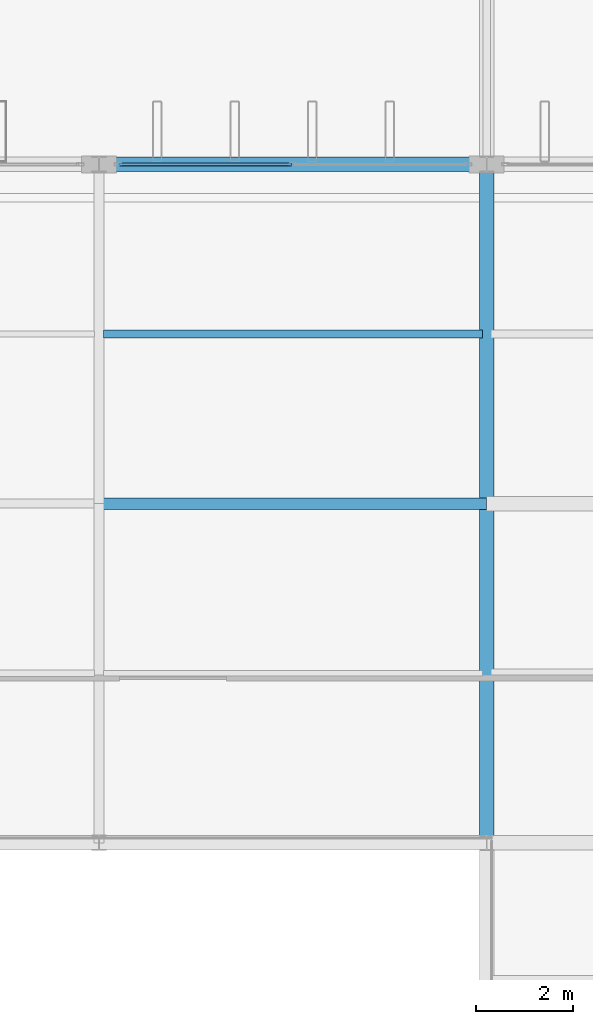
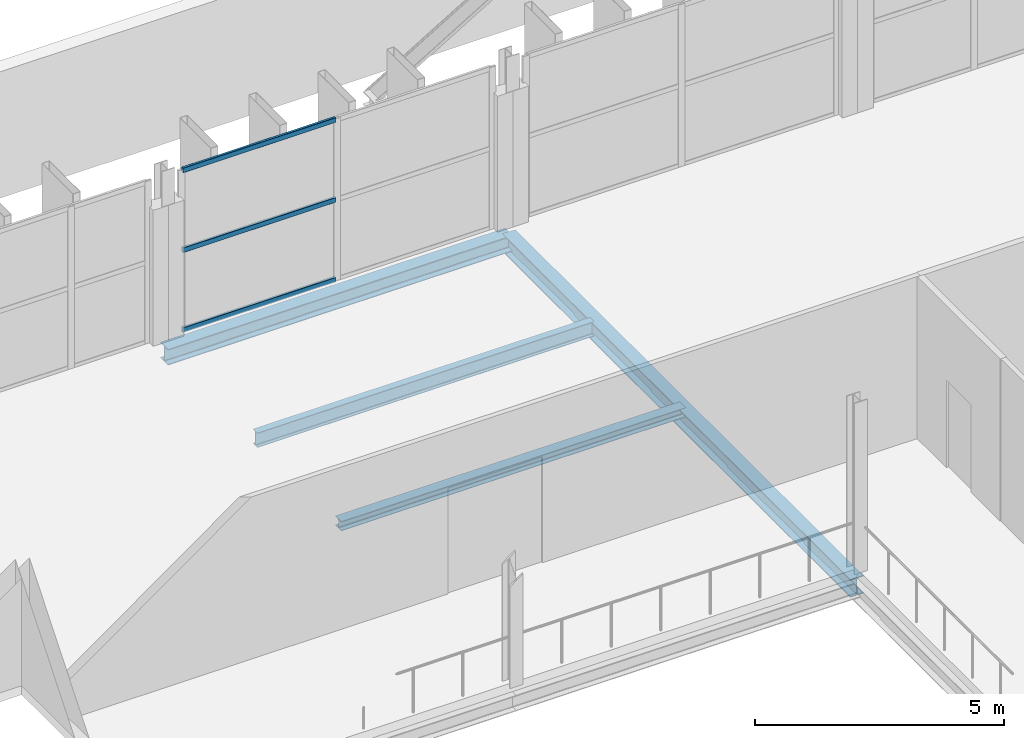
# One storey, part 50 of 93: 4 beams, 3 members, 1 element without a shape of its own.
"""IFC4 building model written with IfcOpenShell, lengths in metres."""

from ifc_helpers import new_model, si_unit, direction, frame, origin, origin_2d, place, context, subcontext, project, spatial, hollow_rectangle, i_section, extrude, material, layer, layer_set, material_profile, profile_set, type_object, element, aggregate, save


model = new_model("IFC4")

# Units and contexts
model_context = context("Model", 3, precision=1e-05, world=origin(), true_north=direction((0.0, 1.0)))
body_context = subcontext(model_context, "Body", "Model", "MODEL_VIEW")
ifc_project = project(units=[si_unit("LENGTHUNIT", "METRE"), si_unit("AREAUNIT", "SQUARE_METRE"), si_unit("VOLUMEUNIT", "CUBIC_METRE"), si_unit("PLANEANGLEUNIT", "RADIAN"), si_unit("MASSUNIT", "GRAM", prefix="KILO")], contexts=[model_context])

# Site, building, storey
site_placement = place(None, origin())
site = spatial("IfcSite", under=ifc_project, at=site_placement, CompositionType="ELEMENT")
building_placement = place(site_placement, origin())
building = spatial("IfcBuilding", under=site, at=building_placement, Name="Vekula Escarpment Museum", CompositionType="ELEMENT")
storey_placement = place(building_placement, frame((0.0, 0.0, 22.199951171875)))
storey = spatial("IfcBuildingStorey", under=building, at=storey_placement, Name="L05", CompositionType="ELEMENT", Elevation=22.199951171875)

# Beams
ifc_material_1 = material(Name="Steel S355", Category="steel")
ifc_material_profile_1 = material_profile(ifc_material_1, i_section(OverallWidth=0.169921875, OverallDepth=0.360107421875, WebThickness=0.008056640625, FlangeThickness=0.0126953125, FilletRadius=0.01806640625, at=origin_2d()), Name="IPE 360")
ifc_profile_set_1 = profile_set([ifc_material_profile_1], Name="Steel S355")
beam_type_1 = type_object("IfcBeamType", Name="BM-JST-IPE360", PredefinedType="JOIST", material=ifc_profile_set_1)
beam_1_placement = place(storey_placement, frame((102.090087890625, 86.89990234375, -0.39990234375), z_axis=(1.0, 0.0, 0.0), x_axis=(0.0, 1.0, 0.0)))
element("IfcBeam", 1, at=beam_1_placement, inside=storey, type_object=beam_type_1, Name="Secondary Joist L05 1365", PredefinedType="JOIST", context=body_context, shape_type="SweptSolid", body=[
    extrude(i_section(OverallWidth=0.169921875, OverallDepth=0.360107421875, WebThickness=0.008056640625, FlangeThickness=0.0126953125, FilletRadius=0.01806640625, at=origin_2d()), origin(), (0.0, 0.0, 1.0), 7.81982421875),
])
ifc_material_2 = material(Name="Steel S355", Category="steel")
ifc_material_profile_2 = material_profile(ifc_material_2, i_section(OverallWidth=0.239990234375, OverallDepth=0.22998046875, WebThickness=0.007568359375, FlangeThickness=0.011962890625, FilletRadius=0.02099609375, at=origin_2d()), Name="HEA 240")
ifc_profile_set_2 = profile_set([ifc_material_profile_2], Name="Steel S355")
beam_type_2 = type_object("IfcBeamType", Name="BM-SPAN-HEA240", PredefinedType="SPANDREL", material=ifc_profile_set_2)
beam_2_placement = place(storey_placement, frame((102.0, 83.39990234375, -0.3349609375), z_axis=(1.0, 0.0, 0.0), x_axis=(0.0, 1.0, 0.0)))
element("IfcBeam", 2, at=beam_2_placement, inside=storey, type_object=beam_type_2, Name="Beam X L05 2040", PredefinedType="SPANDREL", context=body_context, shape_type="SweptSolid", body=[
    extrude(i_section(OverallWidth=0.239990234375, OverallDepth=0.22998046875, WebThickness=0.007568359375, FlangeThickness=0.011962890625, FilletRadius=0.02099609375, at=origin_2d()), origin(), (0.0, 0.0, 1.0), 8.0),
])
ifc_material_3 = material(Name="Steel S355", Category="steel")
ifc_material_profile_3 = material_profile(ifc_material_3, i_section(OverallWidth=0.300048828125, OverallDepth=0.389892578125, WebThickness=0.010986328125, FlangeThickness=0.01904296875, FilletRadius=0.027099609375, at=origin_2d()), Name="HEA 400")
ifc_profile_set_3 = profile_set([ifc_material_profile_3], Name="Steel S355")
beam_type_3 = type_object("IfcBeamType", Name="BM-SPAN-HEA400", PredefinedType="SPANDREL", material=ifc_profile_set_3)
beam_3_placement = place(storey_placement, frame((102.0, 90.39990234375, -0.4150390625), z_axis=(1.0, 0.0, 0.0), x_axis=(0.0, 1.0, 0.0)))
element("IfcBeam", 3, at=beam_3_placement, inside=storey, type_object=beam_type_3, Name="Beam X L05 2050", PredefinedType="SPANDREL", context=body_context, shape_type="SweptSolid", body=[
    extrude(i_section(OverallWidth=0.300048828125, OverallDepth=0.389892578125, WebThickness=0.010986328125, FlangeThickness=0.01904296875, FilletRadius=0.027099609375, at=origin_2d()), origin(), (0.0, 0.0, 1.0), 8.0),
])
ifc_material_4 = material(Name="Steel S355", Category="steel")
ifc_material_profile_4 = material_profile(ifc_material_4, i_section(OverallWidth=0.300048828125, OverallDepth=0.43994140625, WebThickness=0.011474609375, FlangeThickness=0.02099609375, FilletRadius=0.027099609375, at=origin_2d()), Name="HEA 450")
ifc_profile_set_4 = profile_set([ifc_material_profile_4], Name="Steel S355")
beam_type_4 = type_object("IfcBeamType", Name="BM-SPAN-HEA450", PredefinedType="SPANDREL", material=ifc_profile_set_4)
beam_4_placement = place(storey_placement, frame((110.0, 76.39990234375, -0.43994140625), z_axis=(0.0, 1.0, 0.0), x_axis=(-1.0, 0.0, 0.0)))
element("IfcBeam", 4, at=beam_4_placement, inside=storey, type_object=beam_type_4, Name="Beam Y L05 2145", PredefinedType="SPANDREL", context=body_context, shape_type="SweptSolid", body=[
    extrude(i_section(OverallWidth=0.300048828125, OverallDepth=0.43994140625, WebThickness=0.011474609375, FlangeThickness=0.02099609375, FilletRadius=0.027099609375, at=origin_2d()), origin(), (0.0, 0.0, 1.0), 14.0),
])

# Curtain wall, members
ifc_material_5 = material(Name="Aluminium thermally broken framing", Category="aluminium")
ifc_layer = layer(ifc_material_5, 0.179931640625)
ifc_layer_set = layer_set([ifc_layer], Name="Aluminium thermally broken framing")
curtain_wall_type = type_object("IfcCurtainWallType", Name="CW-SYS-08", PredefinedType="NOTDEFINED", material=ifc_layer_set)
curtain_wall_placement = place(storey_placement, origin())
curtain_wall = element("IfcCurtainWall", 5, at=curtain_wall_placement, inside=storey, type_object=curtain_wall_type, Name="Curtain Wall CW-L05-178", PredefinedType="NOTDEFINED")
ifc_material_6 = material(Name="Aluminium anodized transom", Category="aluminium")
ifc_material_profile_5 = material_profile(ifc_material_6, hollow_rectangle(XDim=0.06005859375, YDim=0.1201171875, WallThickness=0.00390625, InnerFilletRadius=0.00390625, OuterFilletRadius=0.008056640625, at=origin_2d()), Name="ALU 120x60x4")
ifc_profile_set_5 = profile_set([ifc_material_profile_5], Name="Aluminium anodized transom")
member_type = type_object("IfcMemberType", Name="CW-TRN-120", PredefinedType="USERDEFINED", material=ifc_profile_set_5)
member_1_placement = place(storey_placement, frame((105.969970703125, 90.39990234375, 0.030029296875), z_axis=(-1.0, 0.0, 0.0), x_axis=(0.0, -1.0, 0.0)))
member_1 = element("IfcMember", 6, at=member_1_placement, type_object=member_type, Name="CW-08 transom 2.1", ObjectType="TRANSOM", PredefinedType="USERDEFINED", context=body_context, shape_type="SweptSolid", body=[
    extrude(hollow_rectangle(XDim=0.06005859375, YDim=0.1201171875, WallThickness=0.00390625, InnerFilletRadius=0.00390625, OuterFilletRadius=0.008056640625, at=origin_2d()), origin(), (0.0, 0.0, 1.0), 3.550048828125),
])
member_2_placement = place(storey_placement, frame((105.969970703125, 90.39990234375, 1.989990234375), z_axis=(-1.0, 0.0, 0.0), x_axis=(0.0, -1.0, 0.0)))
member_2 = element("IfcMember", 7, at=member_2_placement, type_object=member_type, Name="CW-08 transom 2.2", ObjectType="TRANSOM", PredefinedType="USERDEFINED", context=body_context, shape_type="SweptSolid", body=[
    extrude(hollow_rectangle(XDim=0.06005859375, YDim=0.1201171875, WallThickness=0.00390625, InnerFilletRadius=0.00390625, OuterFilletRadius=0.008056640625, at=origin_2d()), origin(), (0.0, 0.0, 1.0), 3.550048828125),
])
member_3_placement = place(storey_placement, frame((105.969970703125, 90.39990234375, 3.949951171875), z_axis=(-1.0, 0.0, 0.0), x_axis=(0.0, -1.0, 0.0)))
member_3 = element("IfcMember", 8, at=member_3_placement, type_object=member_type, Name="CW-08 transom 2.3", ObjectType="TRANSOM", PredefinedType="USERDEFINED", context=body_context, shape_type="SweptSolid", body=[
    extrude(hollow_rectangle(XDim=0.06005859375, YDim=0.1201171875, WallThickness=0.00390625, InnerFilletRadius=0.00390625, OuterFilletRadius=0.008056640625, at=origin_2d()), origin(), (0.0, 0.0, 1.0), 3.550048828125),
])
aggregate(curtain_wall, [member_1, member_2, member_3])

save(model, "model.ifc")
